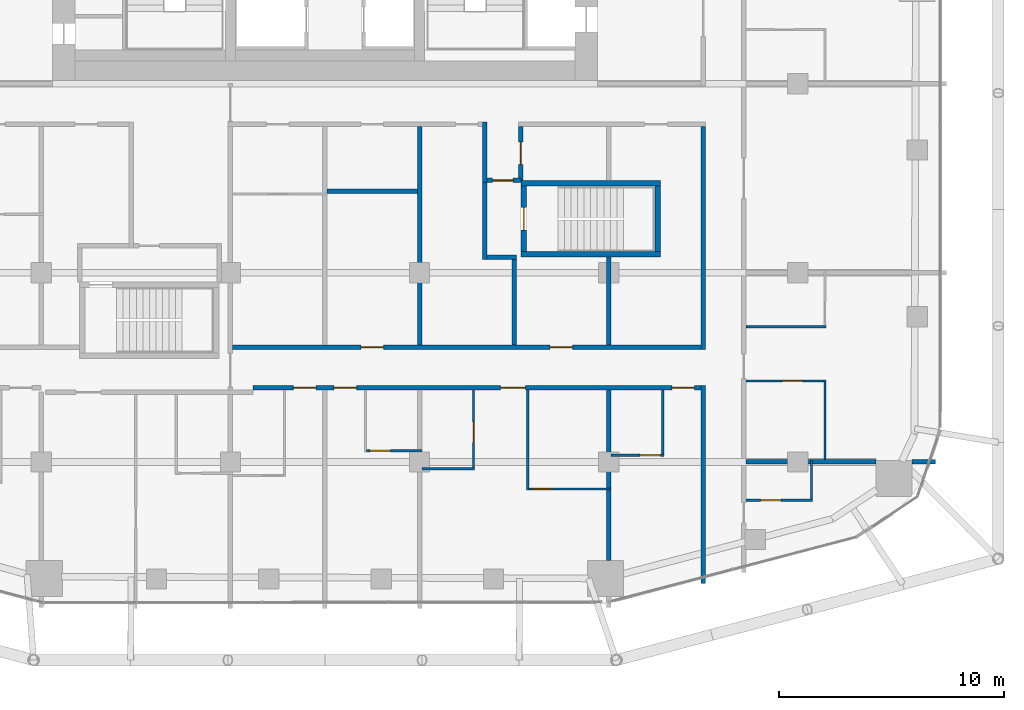
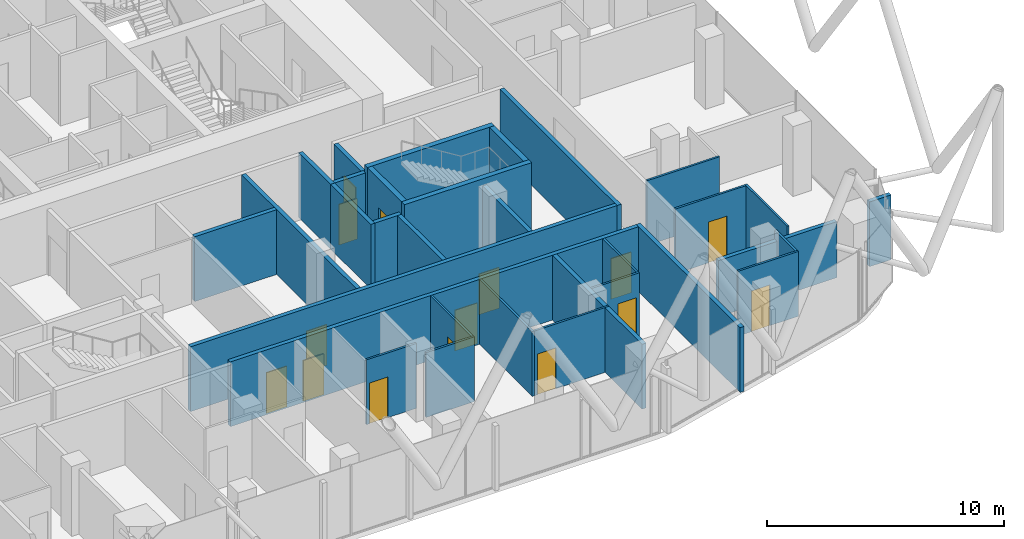
# One storey, part 29 of 36: 32 walls, 15 doors, 15 openings.
"""IFC4 building model written with IfcOpenShell, lengths in metres."""

import ifcopenshell
import ifcopenshell.guid

model = None  # the IFC model being written
_history = None  # IfcOwnerHistory: only IFC2X3 demands one
_inside = {}  # id of a spatial element -> (the spatial element, [elements in it])
_under = {}  # id of a project, library or spatial element -> (it, [spatial elements below it])
_declared = {}  # id of a project -> (the project, [libraries it declares])
_typed = {}  # id of a type object -> (the type object, [elements of that type])
_made_of = {}  # id of a material, layer set ... -> (it, [elements and type objects made of it])


def new_model(schema):
    """Start an empty IFC model of exactly this schema.

    Asked for "IFC4X3", IfcOpenShell would pick the latest addendum, in which some entities
    have other attributes; the version numbers below select the first issue.
    IFC2X3 requires an IfcOwnerHistory on every rooted entity: one is made here for all.
    """
    global model, _history
    if schema == "IFC4X3":
        model = ifcopenshell.file(schema_version=(4, 3, 0, 0))
    else:
        model = ifcopenshell.file(schema=schema)
    _inside.clear()
    _under.clear()
    _declared.clear()
    _typed.clear()
    _made_of.clear()
    _history = None
    if model.schema == "IFC2X3":
        org = make("IfcOrganization", Name="unknown")
        user = make(
            "IfcPersonAndOrganization",
            ThePerson=make("IfcPerson", FamilyName="unknown"),
            TheOrganization=org,
        )
        app = make(
            "IfcApplication",
            ApplicationDeveloper=org,
            Version="unknown",
            ApplicationFullName="unknown",
            ApplicationIdentifier="unknown",
        )
        _history = make(
            "IfcOwnerHistory",
            OwningUser=user,
            OwningApplication=app,
            ChangeAction="ADDED",
            CreationDate=0,
        )
    return model


def make(cls, **values):
    """One entity of the class cls with the attributes given. An attribute that is None is left unset."""
    return model.create_entity(
        cls, **{name: value for name, value in values.items() if value is not None}
    )


def rooted(cls, **values):
    """An entity with a GlobalId (a new one), such as an element, a storey or a relation."""
    return make(cls, GlobalId=ifcopenshell.guid.new(), OwnerHistory=_history, **values)


def si_unit(unit_type, name, prefix=None):
    """IfcSIUnit, for example si_unit("LENGTHUNIT", "METRE", prefix="MILLI")."""
    return make("IfcSIUnit", UnitType=unit_type, Prefix=prefix, Name=name)


def assignment(units):
    """IfcUnitAssignment: the units of a project."""
    return None if units is None else make("IfcUnitAssignment", Units=units)


def point(xyz):
    """IfcCartesianPoint."""
    return None if xyz is None else make("IfcCartesianPoint", Coordinates=xyz)


def direction(xyz):
    """IfcDirection."""
    return None if xyz is None else make("IfcDirection", DirectionRatios=xyz)


def frame(location, z_axis=None, x_axis=None):
    """IfcAxis2Placement3D, a coordinate frame: its origin and axes. An axis left out is left unset."""
    return make(
        "IfcAxis2Placement3D",
        Location=point(location),
        Axis=direction(z_axis),
        RefDirection=direction(x_axis),
    )


def frame_2d(location, x_axis=None):
    """IfcAxis2Placement2D, a coordinate frame in the plane: its origin and x axis."""
    return make(
        "IfcAxis2Placement2D", Location=point(location), RefDirection=direction(x_axis)
    )


def origin():
    """The frame at (0, 0, 0) with its axes left unset."""
    return frame((0.0, 0.0, 0.0))


def place(relative_to, where):
    """IfcLocalPlacement: puts the frame where relative to a parent placement (None: the world)."""
    return make(
        "IfcLocalPlacement", PlacementRelTo=relative_to, RelativePlacement=where
    )


def context(
    kind, dimensions, precision=None, world=None, true_north=None, identifier=None
):
    """IfcGeometricRepresentationContext, for example the 3D "Model" context."""
    return make(
        "IfcGeometricRepresentationContext",
        ContextIdentifier=identifier,
        ContextType=kind,
        CoordinateSpaceDimension=dimensions,
        Precision=precision,
        WorldCoordinateSystem=world,
        TrueNorth=true_north,
    )


def subcontext(parent, identifier, kind, view, scale=None):
    """IfcGeometricRepresentationSubContext, for example "Body" below "Model"."""
    return make(
        "IfcGeometricRepresentationSubContext",
        ContextIdentifier=identifier,
        ContextType=kind,
        ParentContext=parent,
        TargetScale=scale,
        TargetView=view,
    )


def project(units=None, contexts=None):
    """IfcProject with its units and contexts."""
    return rooted(
        "IfcProject",
        Name="project",
        RepresentationContexts=contexts,
        UnitsInContext=assignment(units),
    )


def spatial(cls, under=None, at=None, **own):
    """A site, building, storey or space (cls), placed at a placement, below another one or the project."""
    s = rooted(cls, ObjectPlacement=at, **own)
    if under is not None:
        _under.setdefault(under.id(), (under, []))[1].append(s)
    return s


def profile(cls, at=None, kind="AREA", **sizes):
    """A parametric profile (cls). Its sizes go by their IFC names, for example OverallWidth=200.0."""
    return make(cls, ProfileType=kind, Position=at, **sizes)


def rectangle(**sizes):
    """IfcRectangleProfileDef."""
    return profile("IfcRectangleProfileDef", **sizes)


def extrude(swept, where, along, depth):
    """IfcExtrudedAreaSolid: the profile swept, set in the frame where, extruded along a direction by depth."""
    return make(
        "IfcExtrudedAreaSolid",
        SweptArea=swept,
        Position=where,
        ExtrudedDirection=direction(along),
        Depth=depth,
    )


def shape(context_of_items, identifier, shape_type, items):
    """IfcShapeRepresentation: the items that make up one representation, for example the "Body"."""
    return make(
        "IfcShapeRepresentation",
        ContextOfItems=context_of_items,
        RepresentationIdentifier=identifier,
        RepresentationType=shape_type,
        Items=items,
    )


def material(Name=None, Category=None):
    """IfcMaterial."""
    return make("IfcMaterial", Name=Name, Category=Category)


def layer(
    of_material, thickness, ventilated=None, Name=None, Category=None, Priority=None
):
    """IfcMaterialLayer: one layer of a wall or slab, of a material (None: an air gap)."""
    return make(
        "IfcMaterialLayer",
        Material=of_material,
        LayerThickness=thickness,
        IsVentilated=ventilated,
        Name=Name,
        Category=Category,
        Priority=Priority,
    )


def layer_set(layers, Name=None):
    """IfcMaterialLayerSet."""
    return make("IfcMaterialLayerSet", MaterialLayers=layers, LayerSetName=Name)


def made_of(thing, what):
    """Note that an element or type object is made of a material, layer set ...; save() writes the relation."""
    if what is not None:
        _made_of.setdefault(what.id(), (what, []))[1].append(thing)
    return thing


def type_object(cls, material=None, **own):
    """A type object (cls), such as IfcWallType, which elements share."""
    return made_of(rooted(cls, **own), material)


def element(
    cls,
    number,
    at=None,
    inside=None,
    cuts=None,
    type_object=None,
    material=None,
    context=None,
    identifier="Body",
    shape_type=None,
    held_by="IfcProductDefinitionShape",
    body=None,
    shapes=None,
    **own,
):
    """One element of the class cls, such as IfcWall. Its Tag is "e" and its number.

    at: its placement. inside: the storey or other place that contains it. cuts: it is an
    opening in that element (IfcRelVoidsElement). A single representation is given by context,
    identifier, shape_type and body (its items); several are given by shapes. held_by: the class
    of the entity that holds the representations. save() writes the other relations.
    """
    e = rooted(cls, Tag="e%d" % number, ObjectPlacement=at, **own)
    if body is not None:
        shapes = [shape(context, identifier, shape_type, body)]
    if shapes is not None:
        e.Representation = make(held_by, Representations=shapes)
    if inside is not None:
        _inside.setdefault(inside.id(), (inside, []))[1].append(e)
    if cuts is not None:
        rooted(
            "IfcRelVoidsElement", RelatingBuildingElement=cuts, RelatedOpeningElement=e
        )
    if type_object is not None:
        _typed.setdefault(type_object.id(), (type_object, []))[1].append(e)
    return made_of(e, material)


def fill(opening, filler):
    """IfcRelFillsElement: the door or window that sits in an opening."""
    return rooted(
        "IfcRelFillsElement",
        RelatingOpeningElement=opening,
        RelatedBuildingElement=filler,
    )


def aggregate(whole, parts):
    """IfcRelAggregates: a whole, such as a stair, and the parts it consists of."""
    return rooted("IfcRelAggregates", RelatingObject=whole, RelatedObjects=parts)


def save(model, path):
    """Write the relations noted so far, then the file.

    IfcRelAggregates (storeys below a building ...), IfcRelContainedInSpatialStructure (elements
    in a storey), IfcRelDefinesByType, IfcRelAssociatesMaterial and IfcRelDeclares: one each for
    every whole, place, type object, material and project.
    """
    for whole, parts in _under.values():
        aggregate(whole, parts)
    for where, things in _inside.values():
        rooted(
            "IfcRelContainedInSpatialStructure",
            RelatedElements=things,
            RelatingStructure=where,
        )
    for kind, things in _typed.values():
        rooted("IfcRelDefinesByType", RelatedObjects=things, RelatingType=kind)
    for what, things in _made_of.values():
        rooted("IfcRelAssociatesMaterial", RelatedObjects=things, RelatingMaterial=what)
    for by, libraries in _declared.values():
        rooted("IfcRelDeclares", RelatingContext=by, RelatedDefinitions=libraries)
    model.write(path)


model = new_model("IFC4")

# Units and contexts
model_context = context("Model", 3, precision=1e-05, world=origin(), true_north=direction((0.0, 1.0)))
body_context = subcontext(model_context, "Body", "Model", "MODEL_VIEW")
ifc_project = project(units=[si_unit("LENGTHUNIT", "METRE"), si_unit("AREAUNIT", "SQUARE_METRE"), si_unit("VOLUMEUNIT", "CUBIC_METRE"), si_unit("PLANEANGLEUNIT", "RADIAN"), si_unit("MASSUNIT", "GRAM", prefix="KILO")], contexts=[model_context])

# Site, building, storey
site_placement = place(None, origin())
site = spatial("IfcSite", under=ifc_project, at=site_placement, CompositionType="ELEMENT")
building_placement = place(site_placement, origin())
building = spatial("IfcBuilding", under=site, at=building_placement, Name="Marenta Gate Hotel Tower", CompositionType="ELEMENT")
storey_placement = place(building_placement, frame((0.0, 0.0, 158.89990234375)))
storey = spatial("IfcBuildingStorey", under=building, at=storey_placement, Name="L37", CompositionType="ELEMENT", Elevation=158.89990234375)

# Walls
ifc_material_1 = material(Name="Concrete C40", Category="concrete")
ifc_layer_1 = layer(ifc_material_1, 0.25)
ifc_layer_set_1 = layer_set([ifc_layer_1], Name="Concrete C40")
wall_type_1 = type_object("IfcWallType", Name="Remote stair enclosure wall 250 REI 180", PredefinedType="SHEAR", material=ifc_layer_set_1)
for number, where, z_axis, x_axis, name in (
    (1, (8.699951171875, -7.574951171875, 0.10009765625), (0.0, 0.0, 1.0), (1.0, 0.0, 0.0), "L37-RS-Z2-2-W1"),
    (2, (8.699951171875, -4.425048828125, 0.10009765625), (0.0, 0.0, 1.0), (1.0, 0.0, 0.0), "L37-RS-Z2-2-W2"),
):
    element("IfcWall", number, at=place(storey_placement, frame(where, z_axis=z_axis, x_axis=x_axis)), inside=storey, type_object=wall_type_1, Name=name, PredefinedType="SHEAR", context=body_context, shape_type="SweptSolid", body=[
        extrude(rectangle(XDim=6.199951171875, YDim=0.25, at=frame_2d((3.10009765625, 0.0))), origin(), (0.0, 0.0, 1.0), 3.60009765625),
    ])

# Wall, opening, door
wall_1_placement = place(storey_placement, frame((8.824951171875, -7.449951171875, 0.10009765625), z_axis=(0.0, 0.0, 1.0), x_axis=(0.0, 1.0, 0.0)))
wall_1 = element("IfcWall", 3, at=wall_1_placement, inside=storey, type_object=wall_type_1, Name="L37-RS-Z2-2-W3", PredefinedType="SHEAR", context=body_context, shape_type="SweptSolid", body=[
    extrude(rectangle(XDim=2.89990234375, YDim=0.25, at=frame_2d((1.449951171875, 0.0))), origin(), (0.0, 0.0, 1.0), 3.60009765625),
])
opening_1_placement = place(wall_1_placement, frame((0.949951171875, 0.0, 0.0)))
opening_1 = element("IfcOpeningElement", 4, at=opening_1_placement, cuts=wall_1, Name="Opening VD", PredefinedType="OPENING", context=body_context, shape_type="SweptSolid", body=[
    extrude(rectangle(XDim=1.0, YDim=2.10009765625, at=frame_2d((0.5, 1.050048828125))), frame((0.0, 0.125, 0.0), z_axis=(0.0, -1.0, 0.0), x_axis=(1.0, 0.0, 0.0)), (0.0, 0.0, 1.0), 0.25),
])
ifc_material_2 = material(Name="Steel", Category="steel")
door_type_1 = type_object("IfcDoorType", Name="Stair vestibule door 1000x2100 FD60", OperationType="SINGLE_SWING_LEFT", PredefinedType="DOOR", material=ifc_material_2)
door_1_placement = place(opening_1_placement, origin())
door_1 = element("IfcDoor", 5, at=door_1_placement, inside=storey, type_object=door_type_1, Name="VD", OperationType="SINGLE_SWING_LEFT", OverallHeight=2.10009765625, OverallWidth=1.0, PredefinedType="DOOR", context=body_context, shape_type="SweptSolid", body=[
    extrude(rectangle(XDim=1.0, YDim=2.10009765625, at=frame_2d((0.5, 1.050048828125))), frame((0.0, 0.02490234375, 0.0), z_axis=(0.0, -1.0, 0.0), x_axis=(1.0, 0.0, 0.0)), (0.0, 0.0, 1.0), 0.050048828125),
])
fill(opening_1, door_1)

# Wall
wall_2_placement = place(storey_placement, frame((14.77490234375, -7.449951171875, 0.10009765625), z_axis=(0.0, 0.0, 1.0), x_axis=(0.0, 1.0, 0.0)))
element("IfcWall", 6, at=wall_2_placement, inside=storey, type_object=wall_type_1, Name="L37-RS-Z2-2-W4", PredefinedType="SHEAR", context=body_context, shape_type="SweptSolid", body=[
    extrude(rectangle(XDim=2.89990234375, YDim=0.25, at=frame_2d((1.449951171875, 0.0))), origin(), (0.0, 0.0, 1.0), 3.60009765625),
])

# Wall, openings, doors
ifc_material_3 = material(Name="Concrete blockwork", Category="masonry")
ifc_layer_2 = layer(ifc_material_3, 0.199951171875)
ifc_layer_set_2 = layer_set([ifc_layer_2], Name="Concrete blockwork")
wall_type_2 = type_object("IfcWallType", Name="Room corridor wall 200 EI 120", PredefinedType="PARTITIONING", material=ifc_layer_set_2)
wall_3_placement = place(storey_placement, frame((-4.10009765625, -11.699951171875, 0.0), z_axis=(0.0, 0.0, 1.0), x_axis=(1.0, 0.0, 0.0)))
wall_3 = element("IfcWall", 7, at=wall_3_placement, inside=storey, type_object=wall_type_2, Name="L37-PTN-W034", PredefinedType="PARTITIONING", context=body_context, shape_type="SweptSolid", body=[
    extrude(rectangle(XDim=20.800048828125, YDim=0.199951171875, at=frame_2d((10.39990234375, 0.0))), origin(), (0.0, 0.0, 1.0), 3.340087890625),
])
opening_2_placement = place(wall_3_placement, frame((14.10009765625, 0.0, 0.0)))
opening_2 = element("IfcOpeningElement", 8, at=opening_2_placement, cuts=wall_3, Name="Opening G14-60", PredefinedType="OPENING", context=body_context, shape_type="SweptSolid", body=[
    extrude(rectangle(XDim=1.0, YDim=2.10009765625, at=frame_2d((0.5, 1.050048828125))), frame((0.0, 0.10009765625, 0.0), z_axis=(0.0, -1.0, 0.0), x_axis=(1.0, 0.0, 0.0)), (0.0, 0.0, 1.0), 0.199951171875),
])
opening_3_placement = place(wall_3_placement, frame((5.699951171875, 0.0, 0.0)))
opening_3 = element("IfcOpeningElement", 9, at=opening_3_placement, cuts=wall_3, Name="Opening G14-64", PredefinedType="OPENING", context=body_context, shape_type="SweptSolid", body=[
    extrude(rectangle(XDim=1.0, YDim=2.10009765625, at=frame_2d((0.5, 1.050048828125))), frame((0.0, 0.10009765625, 0.0), z_axis=(0.0, -1.0, 0.0), x_axis=(1.0, 0.0, 0.0)), (0.0, 0.0, 1.0), 0.199951171875),
])
ifc_material_4 = material(Name="Timber door leaf", Category="wood")
door_type_2 = type_object("IfcDoorType", Name="Room amenity door 1000x2100 EI 60", OperationType="NOTDEFINED", PredefinedType="DOOR", material=ifc_material_4)
door_2_placement = place(opening_2_placement, origin())
door_2 = element("IfcDoor", 10, at=door_2_placement, inside=storey, type_object=door_type_2, Name="L37-PD-D060", OperationType="SINGLE_SWING_RIGHT", OverallHeight=2.10009765625, OverallWidth=1.0, PredefinedType="DOOR", context=body_context, shape_type="SweptSolid", body=[
    extrude(rectangle(XDim=1.0, YDim=2.10009765625, at=frame_2d((0.5, 1.050048828125))), frame((0.0, 0.02490234375, 0.0), z_axis=(0.0, -1.0, 0.0), x_axis=(1.0, 0.0, 0.0)), (0.0, 0.0, 1.0), 0.050048828125),
])
fill(opening_2, door_2)
door_3_placement = place(opening_3_placement, origin())
door_3 = element("IfcDoor", 11, at=door_3_placement, inside=storey, type_object=door_type_2, Name="L37-PD-D064", OperationType="SINGLE_SWING_RIGHT", OverallHeight=2.10009765625, OverallWidth=1.0, PredefinedType="DOOR", context=body_context, shape_type="SweptSolid", body=[
    extrude(rectangle(XDim=1.0, YDim=2.10009765625, at=frame_2d((0.5, 1.050048828125))), frame((0.0, 0.02490234375, 0.0), z_axis=(0.0, -1.0, 0.0), x_axis=(1.0, 0.0, 0.0)), (0.0, 0.0, 1.0), 0.050048828125),
])
fill(opening_3, door_3)

# Walls
ifc_material_5 = material(Name="Gypsum board on steel stud", Category="steel")
ifc_layer_3 = layer(ifc_material_5, 0.199951171875)
ifc_layer_set_3 = layer_set([ifc_layer_3], Name="Gypsum board on steel stud")
wall_type_3 = type_object("IfcWallType", Name="Room corridor wall 200 EI 60", PredefinedType="PARTITIONING", material=ifc_layer_set_3)
wall_4_placement = place(storey_placement, frame((16.800048828125, -22.18603515625, 0.0), z_axis=(0.0, 0.0, 1.0), x_axis=(0.0, 1.0, 0.0)))
element("IfcWall", 12, at=wall_4_placement, inside=storey, type_object=wall_type_3, Name="L37-PTN-W016", PredefinedType="PARTITIONING", context=body_context, shape_type="SweptSolid", body=[
    extrude(rectangle(XDim=8.7861328125, YDim=0.199951171875, at=frame_2d((4.39306640625, 0.0))), origin(), (0.0, 0.0, 1.0), 3.340087890625),
])
wall_5_placement = place(storey_placement, frame((16.800048828125, -11.800048828125, 0.0), z_axis=(0.0, 0.0, 1.0), x_axis=(0.0, 1.0, 0.0)))
element("IfcWall", 13, at=wall_5_placement, inside=storey, type_object=wall_type_3, Name="L37-PTN-W017", PredefinedType="PARTITIONING", context=body_context, shape_type="SweptSolid", body=[
    extrude(rectangle(XDim=9.900146484375, YDim=0.199951171875, at=frame_2d((4.9501953125, 0.0))), origin(), (0.0, 0.0, 1.0), 3.340087890625),
])

# Wall, openings, doors
wall_6_placement = place(storey_placement, frame((-3.199951171875, -13.5, 0.0), z_axis=(0.0, 0.0, 1.0), x_axis=(1.0, 0.0, 0.0)))
wall_6 = element("IfcWall", 14, at=wall_6_placement, inside=storey, type_object=wall_type_3, Name="L37-PTN-W027", PredefinedType="PARTITIONING", context=body_context, shape_type="SweptSolid", body=[
    extrude(rectangle(XDim=19.89990234375, YDim=0.199951171875, at=frame_2d((9.949951171875, 0.0))), origin(), (0.0, 0.0, 1.0), 3.340087890625),
])
opening_4_placement = place(wall_6_placement, frame((1.800048828125, 0.0, 0.0)))
opening_4 = element("IfcOpeningElement", 15, at=opening_4_placement, cuts=wall_6, Name="Opening G14-35", PredefinedType="OPENING", context=body_context, shape_type="SweptSolid", body=[
    extrude(rectangle(XDim=1.0, YDim=2.10009765625, at=frame_2d((0.5, 1.050048828125))), frame((0.0, 0.10009765625, 0.0), z_axis=(0.0, -1.0, 0.0), x_axis=(1.0, 0.0, 0.0)), (0.0, 0.0, 1.0), 0.199951171875),
])
opening_5_placement = place(wall_6_placement, frame((3.60009765625, 0.0, 0.0)))
opening_5 = element("IfcOpeningElement", 16, at=opening_5_placement, cuts=wall_6, Name="Opening G14-37", PredefinedType="OPENING", context=body_context, shape_type="SweptSolid", body=[
    extrude(rectangle(XDim=1.0, YDim=2.10009765625, at=frame_2d((0.5, 1.050048828125))), frame((0.0, 0.10009765625, 0.0), z_axis=(0.0, -1.0, 0.0), x_axis=(1.0, 0.0, 0.0)), (0.0, 0.0, 1.0), 0.199951171875),
])
opening_6_placement = place(wall_6_placement, frame((11.0, 0.0, 0.0)))
opening_6 = element("IfcOpeningElement", 17, at=opening_6_placement, cuts=wall_6, Name="Opening G14-39", PredefinedType="OPENING", context=body_context, shape_type="SweptSolid", body=[
    extrude(rectangle(XDim=1.10009765625, YDim=2.10009765625, at=frame_2d((0.550048828125, 1.050048828125))), frame((0.0, 0.10009765625, 0.0), z_axis=(0.0, -1.0, 0.0), x_axis=(1.0, 0.0, 0.0)), (0.0, 0.0, 1.0), 0.199951171875),
])
opening_7_placement = place(wall_6_placement, frame((18.60009765625, 0.0, 0.0)))
opening_7 = element("IfcOpeningElement", 18, at=opening_7_placement, cuts=wall_6, Name="Opening G14-42", PredefinedType="OPENING", context=body_context, shape_type="SweptSolid", body=[
    extrude(rectangle(XDim=1.0, YDim=2.10009765625, at=frame_2d((0.5, 1.050048828125))), frame((0.0, 0.10009765625, 0.0), z_axis=(0.0, -1.0, 0.0), x_axis=(1.0, 0.0, 0.0)), (0.0, 0.0, 1.0), 0.199951171875),
])
ifc_material_6 = material(Name="Timber door leaf", Category="wood")
door_type_3 = type_object("IfcDoorType", Name="Guest room door 1000x2100 EI 30", OperationType="NOTDEFINED", PredefinedType="DOOR", material=ifc_material_6)
door_4_placement = place(opening_4_placement, origin())
door_4 = element("IfcDoor", 19, at=door_4_placement, inside=storey, type_object=door_type_3, Name="L37-PD-D035", OperationType="SINGLE_SWING_LEFT", OverallHeight=2.10009765625, OverallWidth=1.0, PredefinedType="DOOR", context=body_context, shape_type="SweptSolid", body=[
    extrude(rectangle(XDim=1.0, YDim=2.10009765625, at=frame_2d((0.5, 1.050048828125))), frame((0.0, 0.02490234375, 0.0), z_axis=(0.0, -1.0, 0.0), x_axis=(1.0, 0.0, 0.0)), (0.0, 0.0, 1.0), 0.050048828125),
])
fill(opening_4, door_4)
door_5_placement = place(opening_5_placement, origin())
door_5 = element("IfcDoor", 20, at=door_5_placement, inside=storey, type_object=door_type_3, Name="L37-PD-D037", OperationType="SINGLE_SWING_LEFT", OverallHeight=2.10009765625, OverallWidth=1.0, PredefinedType="DOOR", context=body_context, shape_type="SweptSolid", body=[
    extrude(rectangle(XDim=1.0, YDim=2.10009765625, at=frame_2d((0.5, 1.050048828125))), frame((0.0, 0.02490234375, 0.0), z_axis=(0.0, -1.0, 0.0), x_axis=(1.0, 0.0, 0.0)), (0.0, 0.0, 1.0), 0.050048828125),
])
fill(opening_5, door_5)
door_6_placement = place(opening_7_placement, origin())
door_6 = element("IfcDoor", 21, at=door_6_placement, inside=storey, type_object=door_type_3, Name="L37-PD-D042", OperationType="SINGLE_SWING_LEFT", OverallHeight=2.10009765625, OverallWidth=1.0, PredefinedType="DOOR", context=body_context, shape_type="SweptSolid", body=[
    extrude(rectangle(XDim=1.0, YDim=2.10009765625, at=frame_2d((0.5, 1.050048828125))), frame((0.0, 0.02490234375, 0.0), z_axis=(0.0, -1.0, 0.0), x_axis=(1.0, 0.0, 0.0)), (0.0, 0.0, 1.0), 0.050048828125),
])
fill(opening_7, door_6)
ifc_material_7 = material(Name="Timber door leaf", Category="wood")
door_type_4 = type_object("IfcDoorType", Name="Guest room door 1100x2100 EI 30", OperationType="NOTDEFINED", PredefinedType="DOOR", material=ifc_material_7)
door_7_placement = place(opening_6_placement, origin())
door_7 = element("IfcDoor", 22, at=door_7_placement, inside=storey, type_object=door_type_4, Name="L37-PD-D039", OperationType="SINGLE_SWING_LEFT", OverallHeight=2.10009765625, OverallWidth=1.10009765625, PredefinedType="DOOR", context=body_context, shape_type="SweptSolid", body=[
    extrude(rectangle(XDim=1.10009765625, YDim=2.10009765625, at=frame_2d((0.550048828125, 1.050048828125))), frame((0.0, 0.02490234375, 0.0), z_axis=(0.0, -1.0, 0.0), x_axis=(1.0, 0.0, 0.0)), (0.0, 0.0, 1.0), 0.050048828125),
])
fill(opening_6, door_7)

# Wall, opening, door
wall_7_placement = place(storey_placement, frame((8.699951171875, -4.300048828125, 0.0), z_axis=(0.0, 0.0, 1.0), x_axis=(0.0, 1.0, 0.0)))
wall_7 = element("IfcWall", 23, at=wall_7_placement, inside=storey, type_object=wall_type_3, Name="L37-PTN-W039", PredefinedType="PARTITIONING", context=body_context, shape_type="SweptSolid", body=[
    extrude(rectangle(XDim=2.400146484375, YDim=0.199951171875, at=frame_2d((1.2001953125, 0.0))), origin(), (0.0, 0.0, 1.0), 3.340087890625),
])
opening_8_placement = place(wall_7_placement, frame((0.699951171875, 0.0, 0.0)))
opening_8 = element("IfcOpeningElement", 24, at=opening_8_placement, cuts=wall_7, Name="Opening G14-61", PredefinedType="OPENING", context=body_context, shape_type="SweptSolid", body=[
    extrude(rectangle(XDim=1.0, YDim=2.10009765625, at=frame_2d((0.5, 1.050048828125))), frame((0.0, 0.10009765625, 0.0), z_axis=(0.0, -1.0, 0.0), x_axis=(1.0, 0.0, 0.0)), (0.0, 0.0, 1.0), 0.199951171875),
])
ifc_material_8 = material(Name="Timber door leaf", Category="wood")
door_type_5 = type_object("IfcDoorType", Name="Room amenity door 1000x2100 EI 30", OperationType="NOTDEFINED", PredefinedType="DOOR", material=ifc_material_8)
door_8_placement = place(opening_8_placement, origin())
door_8 = element("IfcDoor", 25, at=door_8_placement, inside=storey, type_object=door_type_5, Name="L37-PD-D061", OperationType="SINGLE_SWING_LEFT", OverallHeight=2.10009765625, OverallWidth=1.0, PredefinedType="DOOR", context=body_context, shape_type="SweptSolid", body=[
    extrude(rectangle(XDim=1.0, YDim=2.10009765625, at=frame_2d((0.5, 1.050048828125))), frame((0.0, 0.02490234375, 0.0), z_axis=(0.0, -1.0, 0.0), x_axis=(1.0, 0.0, 0.0)), (0.0, 0.0, 1.0), 0.050048828125),
])
fill(opening_8, door_8)

# Wall
wall_8_placement = place(storey_placement, frame((7.10009765625, -4.39990234375, 0.0), z_axis=(0.0, 0.0, 1.0), x_axis=(0.0, 1.0, 0.0)))
element("IfcWall", 26, at=wall_8_placement, inside=storey, type_object=wall_type_3, Name="L37-PTN-W047", PredefinedType="PARTITIONING", context=body_context, shape_type="SweptSolid", body=[
    extrude(rectangle(XDim=2.699951171875, YDim=0.199951171875, at=frame_2d((1.35009765625, 0.0))), origin(), (0.0, 0.0, 1.0), 3.340087890625),
])

# Wall, opening, door
ifc_material_9 = material(Name="Concrete blockwork", Category="masonry")
ifc_layer_4 = layer(ifc_material_9, 0.199951171875)
ifc_layer_set_4 = layer_set([ifc_layer_4], Name="Concrete blockwork")
wall_type_4 = type_object("IfcWallType", Name="Room corridor wall 200 REI 180", PredefinedType="PARTITIONING", material=ifc_layer_set_4)
wall_9_placement = place(storey_placement, frame((7.199951171875, -4.300048828125, 0.0), z_axis=(0.0, 0.0, 1.0), x_axis=(1.0, 0.0, 0.0)))
wall_9 = element("IfcWall", 27, at=wall_9_placement, inside=storey, type_object=wall_type_4, Name="L37-PTN-W053", PredefinedType="PARTITIONING", context=body_context, shape_type="SweptSolid", body=[
    extrude(rectangle(XDim=1.5, YDim=0.199951171875, at=frame_2d((0.75, 0.0))), origin(), (0.0, 0.0, 1.0), 3.340087890625),
])
opening_9_placement = place(wall_9_placement, frame((0.25, 0.0, 0.0)))
opening_9 = element("IfcOpeningElement", 28, at=opening_9_placement, cuts=wall_9, Name="Opening G14-57", PredefinedType="OPENING", context=body_context, shape_type="SweptSolid", body=[
    extrude(rectangle(XDim=0.89990234375, YDim=2.10009765625, at=frame_2d((0.449951171875, 1.050048828125))), frame((0.0, 0.10009765625, 0.0), z_axis=(0.0, -1.0, 0.0), x_axis=(1.0, 0.0, 0.0)), (0.0, 0.0, 1.0), 0.199951171875),
])
ifc_material_10 = material(Name="Hollow steel door set", Category="steel")
door_type_6 = type_object("IfcDoorType", Name="Stair vestibule door 900x2100 EI 60", OperationType="NOTDEFINED", PredefinedType="DOOR", material=ifc_material_10)
door_9_placement = place(opening_9_placement, origin())
door_9 = element("IfcDoor", 29, at=door_9_placement, inside=storey, type_object=door_type_6, Name="L37-PD-D057", OperationType="SINGLE_SWING_LEFT", OverallHeight=2.10009765625, OverallWidth=0.89990234375, PredefinedType="DOOR", context=body_context, shape_type="SweptSolid", body=[
    extrude(rectangle(XDim=0.89990234375, YDim=2.10009765625, at=frame_2d((0.449951171875, 1.050048828125))), frame((0.0, 0.02490234375, 0.0), z_axis=(0.0, -1.0, 0.0), x_axis=(1.0, 0.0, 0.0)), (0.0, 0.0, 1.0), 0.050048828125),
])
fill(opening_9, door_9)

# Walls
ifc_material_11 = material(Name="Gypsum board on steel stud", Category="steel")
ifc_layer_5 = layer(ifc_material_11, 0.10009765625)
ifc_layer_set_5 = layer_set([ifc_layer_5], Name="Gypsum board on steel stud")
wall_type_5 = type_object("IfcWallType", Name="Room partition 100", PredefinedType="PARTITIONING", material=ifc_layer_set_5)
wall_10_placement = place(storey_placement, frame((22.199951171875, -16.699951171875, 0.0), z_axis=(0.0, 0.0, 1.0), x_axis=(0.0, 1.0, 0.0)))
element("IfcWall", 30, at=wall_10_placement, inside=storey, type_object=wall_type_5, Name="L37-PTN-W002", PredefinedType="PARTITIONING", context=body_context, shape_type="SweptSolid", body=[
    extrude(rectangle(XDim=3.550048828125, YDim=0.10009765625, at=frame_2d((1.77490234375, 0.0))), origin(), (0.0, 0.0, 1.0), 3.340087890625),
])
wall_11_placement = place(storey_placement, frame((21.60009765625, -18.449951171875, 0.0), z_axis=(0.0, 0.0, 1.0), x_axis=(0.0, 1.0, 0.0)))
element("IfcWall", 31, at=wall_11_placement, inside=storey, type_object=wall_type_5, Name="L37-PTN-W007", PredefinedType="PARTITIONING", context=body_context, shape_type="SweptSolid", body=[
    extrude(rectangle(XDim=1.75, YDim=0.10009765625, at=frame_2d((0.875, 0.0))), origin(), (0.0, 0.0, 1.0), 3.340087890625),
])

# Wall, opening, door
wall_12_placement = place(storey_placement, frame((18.699951171875, -18.5, 0.0), z_axis=(0.0, 0.0, 1.0), x_axis=(1.0, 0.0, 0.0)))
wall_12 = element("IfcWall", 32, at=wall_12_placement, inside=storey, type_object=wall_type_5, Name="L37-PTN-W010", PredefinedType="PARTITIONING", context=body_context, shape_type="SweptSolid", body=[
    extrude(rectangle(XDim=2.949951171875, YDim=0.10009765625, at=frame_2d((1.47509765625, 0.0))), origin(), (0.0, 0.0, 1.0), 3.340087890625),
])
opening_10_placement = place(wall_12_placement, frame((0.64990234375, 0.0, 0.0)))
opening_10 = element("IfcOpeningElement", 33, at=opening_10_placement, cuts=wall_12, Name="Opening G14-09", PredefinedType="OPENING", context=body_context, shape_type="SweptSolid", body=[
    extrude(rectangle(XDim=0.89990234375, YDim=2.10009765625, at=frame_2d((0.449951171875, 1.050048828125))), frame((0.0, 0.050048828125, 0.0), z_axis=(0.0, -1.0, 0.0), x_axis=(1.0, 0.0, 0.0)), (0.0, 0.0, 1.0), 0.10009765625),
])
ifc_material_12 = material(Name="Timber door leaf", Category="wood")
door_type_7 = type_object("IfcDoorType", Name="Guest bathroom door 900x2100", OperationType="NOTDEFINED", PredefinedType="DOOR", material=ifc_material_12)
door_10_placement = place(opening_10_placement, origin())
door_10 = element("IfcDoor", 34, at=door_10_placement, inside=storey, type_object=door_type_7, Name="L37-PD-D009", OperationType="SINGLE_SWING_LEFT", OverallHeight=2.10009765625, OverallWidth=0.89990234375, PredefinedType="DOOR", context=body_context, shape_type="SweptSolid", body=[
    extrude(rectangle(XDim=0.89990234375, YDim=2.10009765625, at=frame_2d((0.449951171875, 1.050048828125))), frame((0.0, 0.02490234375, 0.0), z_axis=(0.0, -1.0, 0.0), x_axis=(1.0, 0.0, 0.0)), (0.0, 0.0, 1.0), 0.050048828125),
])
fill(opening_10, door_10)

wall_13_placement = place(storey_placement, frame((9.050048828125, -18.0, 0.0), z_axis=(0.0, 0.0, 1.0), x_axis=(1.0, 0.0, 0.0)))
wall_13 = element("IfcWall", 35, at=wall_13_placement, inside=storey, type_object=wall_type_5, Name="L37-PTN-W011", PredefinedType="PARTITIONING", context=body_context, shape_type="SweptSolid", body=[
    extrude(rectangle(XDim=3.64990234375, YDim=0.10009765625, at=frame_2d((1.824951171875, 0.0))), origin(), (0.0, 0.0, 1.0), 3.340087890625),
])
opening_11_placement = place(wall_13_placement, frame((0.14990234375, 0.0, 0.0)))
opening_11 = element("IfcOpeningElement", 36, at=opening_11_placement, cuts=wall_13, Name="Opening G14-40", PredefinedType="OPENING", context=body_context, shape_type="SweptSolid", body=[
    extrude(rectangle(XDim=0.89990234375, YDim=2.10009765625, at=frame_2d((0.449951171875, 1.050048828125))), frame((0.0, 0.050048828125, 0.0), z_axis=(0.0, -1.0, 0.0), x_axis=(1.0, 0.0, 0.0)), (0.0, 0.0, 1.0), 0.10009765625),
])
door_11_placement = place(opening_11_placement, origin())
door_11 = element("IfcDoor", 37, at=door_11_placement, inside=storey, type_object=door_type_7, Name="L37-PD-D040", OperationType="SINGLE_SWING_LEFT", OverallHeight=2.10009765625, OverallWidth=0.89990234375, PredefinedType="DOOR", context=body_context, shape_type="SweptSolid", body=[
    extrude(rectangle(XDim=0.89990234375, YDim=2.10009765625, at=frame_2d((0.449951171875, 1.050048828125))), frame((0.0, 0.02490234375, 0.0), z_axis=(0.0, -1.0, 0.0), x_axis=(1.0, 0.0, 0.0)), (0.0, 0.0, 1.0), 0.050048828125),
])
fill(opening_11, door_11)

# Wall
wall_14_placement = place(storey_placement, frame((4.300048828125, -17.10009765625, 0.0), z_axis=(0.0, 0.0, 1.0), x_axis=(1.0, 0.0, 0.0)))
element("IfcWall", 38, at=wall_14_placement, inside=storey, type_object=wall_type_5, Name="L37-PTN-W015", PredefinedType="PARTITIONING", context=body_context, shape_type="SweptSolid", body=[
    extrude(rectangle(XDim=2.349853515625, YDim=0.10009765625, at=frame_2d((1.1748046875, 0.0))), origin(), (0.0, 0.0, 1.0), 3.340087890625),
])

# Wall, opening, door
wall_15_placement = place(storey_placement, frame((12.699951171875, -16.5, 0.0), z_axis=(0.0, 0.0, 1.0), x_axis=(1.0, 0.0, 0.0)))
wall_15 = element("IfcWall", 39, at=wall_15_placement, inside=storey, type_object=wall_type_5, Name="L37-PTN-W021", PredefinedType="PARTITIONING", context=body_context, shape_type="SweptSolid", body=[
    extrude(rectangle(XDim=2.35009765625, YDim=0.10009765625, at=frame_2d((1.175048828125, 0.0))), origin(), (0.0, 0.0, 1.0), 3.340087890625),
])
opening_12_placement = place(wall_15_placement, frame((1.300048828125, 0.0, 0.0)))
opening_12 = element("IfcOpeningElement", 40, at=opening_12_placement, cuts=wall_15, Name="Opening G14-43", PredefinedType="OPENING", context=body_context, shape_type="SweptSolid", body=[
    extrude(rectangle(XDim=0.89990234375, YDim=2.10009765625, at=frame_2d((0.449951171875, 1.050048828125))), frame((0.0, 0.050048828125, 0.0), z_axis=(0.0, -1.0, 0.0), x_axis=(1.0, 0.0, 0.0)), (0.0, 0.0, 1.0), 0.10009765625),
])
door_12_placement = place(opening_12_placement, origin())
door_12 = element("IfcDoor", 41, at=door_12_placement, inside=storey, type_object=door_type_7, Name="L37-PD-D043", OperationType="SINGLE_SWING_RIGHT", OverallHeight=2.10009765625, OverallWidth=0.89990234375, PredefinedType="DOOR", context=body_context, shape_type="SweptSolid", body=[
    extrude(rectangle(XDim=0.89990234375, YDim=2.10009765625, at=frame_2d((0.449951171875, 1.050048828125))), frame((0.0, 0.02490234375, 0.0), z_axis=(0.0, -1.0, 0.0), x_axis=(1.0, 0.0, 0.0)), (0.0, 0.0, 1.0), 0.050048828125),
])
fill(opening_12, door_12)

wall_16_placement = place(storey_placement, frame((1.85009765625, -16.300048828125, 0.0), z_axis=(0.0, 0.0, 1.0), x_axis=(1.0, 0.0, 0.0)))
wall_16 = element("IfcWall", 42, at=wall_16_placement, inside=storey, type_object=wall_type_5, Name="L37-PTN-W022", PredefinedType="PARTITIONING", context=body_context, shape_type="SweptSolid", body=[
    extrude(rectangle(XDim=2.449951171875, YDim=0.10009765625, at=frame_2d((1.22509765625, 0.0))), origin(), (0.0, 0.0, 1.0), 3.340087890625),
])
opening_13_placement = place(wall_16_placement, frame((0.14990234375, 0.0, 0.0)))
opening_13 = element("IfcOpeningElement", 43, at=opening_13_placement, cuts=wall_16, Name="Opening G14-38", PredefinedType="OPENING", context=body_context, shape_type="SweptSolid", body=[
    extrude(rectangle(XDim=0.89990234375, YDim=2.10009765625, at=frame_2d((0.449951171875, 1.050048828125))), frame((0.0, 0.050048828125, 0.0), z_axis=(0.0, -1.0, 0.0), x_axis=(1.0, 0.0, 0.0)), (0.0, 0.0, 1.0), 0.10009765625),
])
door_13_placement = place(opening_13_placement, origin())
door_13 = element("IfcDoor", 44, at=door_13_placement, inside=storey, type_object=door_type_7, Name="L37-PD-D038", OperationType="SINGLE_SWING_LEFT", OverallHeight=2.10009765625, OverallWidth=0.89990234375, PredefinedType="DOOR", context=body_context, shape_type="SweptSolid", body=[
    extrude(rectangle(XDim=0.89990234375, YDim=2.10009765625, at=frame_2d((0.449951171875, 1.050048828125))), frame((0.0, 0.02490234375, 0.0), z_axis=(0.0, -1.0, 0.0), x_axis=(1.0, 0.0, 0.0)), (0.0, 0.0, 1.0), 0.050048828125),
])
fill(opening_13, door_13)

# Wall
wall_17_placement = place(storey_placement, frame((15.0, -16.449951171875, 0.0), z_axis=(0.0, 0.0, 1.0), x_axis=(0.0, 1.0, 0.0)))
element("IfcWall", 45, at=wall_17_placement, inside=storey, type_object=wall_type_5, Name="L37-PTN-W023", PredefinedType="PARTITIONING", context=body_context, shape_type="SweptSolid", body=[
    extrude(rectangle(XDim=2.849853515625, YDim=0.10009765625, at=frame_2d((1.4248046875, 0.0))), origin(), (0.0, 0.0, 1.0), 3.340087890625),
])

# Wall, opening, door
wall_18_placement = place(storey_placement, frame((18.699951171875, -13.199951171875, 0.0), z_axis=(0.0, 0.0, 1.0), x_axis=(1.0, 0.0, 0.0)))
wall_18 = element("IfcWall", 46, at=wall_18_placement, inside=storey, type_object=wall_type_5, Name="L37-PTN-W028", PredefinedType="PARTITIONING", context=body_context, shape_type="SweptSolid", body=[
    extrude(rectangle(XDim=3.449951171875, YDim=0.10009765625, at=frame_2d((1.72509765625, 0.0))), origin(), (0.0, 0.0, 1.0), 3.340087890625),
])
opening_14_placement = place(wall_18_placement, frame((1.610107421875, 0.0, 0.0)))
opening_14 = element("IfcOpeningElement", 47, at=opening_14_placement, cuts=wall_18, Name="Opening G14-11", PredefinedType="OPENING", context=body_context, shape_type="SweptSolid", body=[
    extrude(rectangle(XDim=0.89990234375, YDim=2.10009765625, at=frame_2d((0.449951171875, 1.050048828125))), frame((0.0, 0.050048828125, 0.0), z_axis=(0.0, -1.0, 0.0), x_axis=(1.0, 0.0, 0.0)), (0.0, 0.0, 1.0), 0.10009765625),
])
door_14_placement = place(opening_14_placement, origin())
door_14 = element("IfcDoor", 48, at=door_14_placement, inside=storey, type_object=door_type_7, Name="L37-PD-D011", OperationType="SINGLE_SWING_LEFT", OverallHeight=2.10009765625, OverallWidth=0.89990234375, PredefinedType="DOOR", context=body_context, shape_type="SweptSolid", body=[
    extrude(rectangle(XDim=0.89990234375, YDim=2.10009765625, at=frame_2d((0.449951171875, 1.050048828125))), frame((0.0, 0.02490234375, 0.0), z_axis=(0.0, -1.0, 0.0), x_axis=(1.0, 0.0, 0.0)), (0.0, 0.0, 1.0), 0.050048828125),
])
fill(opening_14, door_14)

# Walls
wall_19_placement = place(storey_placement, frame((18.699951171875, -10.800048828125, 0.0), z_axis=(0.0, 0.0, 1.0), x_axis=(1.0, 0.0, 0.0)))
element("IfcWall", 49, at=wall_19_placement, inside=storey, type_object=wall_type_5, Name="L37-PTN-W035", PredefinedType="PARTITIONING", context=body_context, shape_type="SweptSolid", body=[
    extrude(rectangle(XDim=3.550048828125, YDim=0.10009765625, at=frame_2d((1.77490234375, 0.0))), origin(), (0.0, 0.0, 1.0), 3.340087890625),
])
wall_20_placement = place(storey_placement, frame((9.0, -18.050048828125, 0.0), z_axis=(0.0, 0.0, 1.0), x_axis=(0.0, 1.0, 0.0)))
element("IfcWall", 50, at=wall_20_placement, inside=storey, type_object=wall_type_5, Name="L37-PTN-W038", PredefinedType="PARTITIONING", context=body_context, shape_type="SweptSolid", body=[
    extrude(rectangle(XDim=4.449951171875, YDim=0.10009765625, at=frame_2d((2.22509765625, 0.0))), origin(), (0.0, 0.0, 1.0), 3.340087890625),
])

# Wall, opening, door
wall_21_placement = place(storey_placement, frame((6.60009765625, -17.050048828125, 0.0), z_axis=(0.0, 0.0, 1.0), x_axis=(0.0, 1.0, 0.0)))
wall_21 = element("IfcWall", 51, at=wall_21_placement, inside=storey, type_object=wall_type_5, Name="L37-PTN-W048", PredefinedType="PARTITIONING", context=body_context, shape_type="SweptSolid", body=[
    extrude(rectangle(XDim=3.449951171875, YDim=0.10009765625, at=frame_2d((1.72509765625, 0.0))), origin(), (0.0, 0.0, 1.0), 3.340087890625),
])
opening_15_placement = place(wall_21_placement, frame((1.1201171875, 0.0, 0.0)))
opening_15 = element("IfcOpeningElement", 52, at=opening_15_placement, cuts=wall_21, Name="Opening G14-41", PredefinedType="OPENING", context=body_context, shape_type="SweptSolid", body=[
    extrude(rectangle(XDim=0.89990234375, YDim=2.10009765625, at=frame_2d((0.449951171875, 1.050048828125))), frame((0.0, 0.050048828125, 0.0), z_axis=(0.0, -1.0, 0.0), x_axis=(1.0, 0.0, 0.0)), (0.0, 0.0, 1.0), 0.10009765625),
])
ifc_material_13 = material(Name="Timber door leaf", Category="wood")
door_type_8 = type_object("IfcDoorType", Name="Room inner door 900x2100", OperationType="NOTDEFINED", PredefinedType="DOOR", material=ifc_material_13)
door_15_placement = place(opening_15_placement, origin())
door_15 = element("IfcDoor", 53, at=door_15_placement, inside=storey, type_object=door_type_8, Name="L37-PD-D041", OperationType="SINGLE_SWING_LEFT", OverallHeight=2.10009765625, OverallWidth=0.89990234375, PredefinedType="DOOR", context=body_context, shape_type="SweptSolid", body=[
    extrude(rectangle(XDim=0.89990234375, YDim=2.10009765625, at=frame_2d((0.449951171875, 1.050048828125))), frame((0.0, 0.02490234375, 0.0), z_axis=(0.0, -1.0, 0.0), x_axis=(1.0, 0.0, 0.0)), (0.0, 0.0, 1.0), 0.050048828125),
])
fill(opening_15, door_15)

# Walls
ifc_material_14 = material(Name="Gypsum board on steel stud", Category="steel")
ifc_layer_6 = layer(ifc_material_14, 0.199951171875)
ifc_layer_set_6 = layer_set([ifc_layer_6], Name="Gypsum board on steel stud")
wall_type_6 = type_object("IfcWallType", Name="Room party wall 200 EI 60", PredefinedType="PARTITIONING", material=ifc_layer_set_6)
wall_22_placement = place(storey_placement, frame((18.699951171875, -16.800048828125, 0.0), z_axis=(0.0, 0.0, 1.0), x_axis=(1.0, 0.0, 0.0)))
element("IfcWall", 54, at=wall_22_placement, inside=storey, type_object=wall_type_6, Name="L37-PTN-W020", PredefinedType="PARTITIONING", context=body_context, shape_type="SweptSolid", body=[
    extrude(rectangle(XDim=5.762939453125, YDim=0.199951171875, at=frame_2d((2.88134765625, 0.0))), origin(), (0.0, 0.0, 1.0), 2.89013671875),
])
wall_23_placement = place(storey_placement, frame((26.06298828125, -16.800048828125, 0.0), z_axis=(0.0, 0.0, 1.0), x_axis=(1.0, 0.0, 0.0)))
element("IfcWall", 55, at=wall_23_placement, inside=storey, type_object=wall_type_6, Name="L37-PTN-W119", PredefinedType="PARTITIONING", context=body_context, shape_type="SweptSolid", body=[
    extrude(rectangle(XDim=1.049072265625, YDim=0.199951171875, at=frame_2d((0.5244140625, 0.0))), origin(), (0.0, 0.0, 1.0), 3.340087890625),
])
wall_24_placement = place(storey_placement, frame((12.60009765625, -21.175048828125, 0.0), z_axis=(0.0, 0.0, 1.0), x_axis=(0.0, 1.0, 0.0)))
element("IfcWall", 56, at=wall_24_placement, inside=storey, type_object=wall_type_6, Name="L37-PTN-W120", PredefinedType="PARTITIONING", context=body_context, shape_type="SweptSolid", body=[
    extrude(rectangle(XDim=7.574951171875, YDim=0.199951171875, at=frame_2d((3.78759765625, 0.0))), origin(), (0.0, 0.0, 1.0), 3.340087890625),
])
wall_25_placement = place(storey_placement, frame((12.60009765625, -11.60009765625, 0.0), z_axis=(0.0, 0.0, 1.0), x_axis=(0.0, 1.0, 0.0)))
element("IfcWall", 57, at=wall_25_placement, inside=storey, type_object=wall_type_6, Name="L37-PTN-W030", PredefinedType="PARTITIONING", context=body_context, shape_type="SweptSolid", body=[
    extrude(rectangle(XDim=3.900146484375, YDim=0.199951171875, at=frame_2d((1.9501953125, 0.0))), origin(), (0.0, 0.0, 1.0), 3.340087890625),
])
wall_26_placement = place(storey_placement, frame((8.39990234375, -11.60009765625, 0.0), z_axis=(0.0, 0.0, 1.0), x_axis=(0.0, 1.0, 0.0)))
element("IfcWall", 58, at=wall_26_placement, inside=storey, type_object=wall_type_6, Name="L37-PTN-W040", PredefinedType="PARTITIONING", context=body_context, shape_type="SweptSolid", body=[
    extrude(rectangle(XDim=3.800048828125, YDim=0.199951171875, at=frame_2d((1.89990234375, 0.0))), origin(), (0.0, 0.0, 1.0), 3.340087890625),
])
wall_27_placement = place(storey_placement, frame((0.10009765625, -4.77001953125, 0.0), z_axis=(0.0, 0.0, 1.0), x_axis=(1.0, 0.0, 0.0)))
element("IfcWall", 59, at=wall_27_placement, inside=storey, type_object=wall_type_6, Name="L37-PTN-W052", PredefinedType="PARTITIONING", context=body_context, shape_type="SweptSolid", body=[
    extrude(rectangle(XDim=4.0, YDim=0.199951171875, at=frame_2d((2.0, 0.0))), origin(), (0.0, 0.0, 1.0), 3.340087890625),
])
wall_28_placement = place(storey_placement, frame((4.199951171875, -11.60009765625, 0.0), z_axis=(0.0, 0.0, 1.0), x_axis=(0.0, 1.0, 0.0)))
element("IfcWall", 60, at=wall_28_placement, inside=storey, type_object=wall_type_6, Name="L37-PTN-W055", PredefinedType="PARTITIONING", context=body_context, shape_type="SweptSolid", body=[
    extrude(rectangle(XDim=9.7001953125, YDim=0.199951171875, at=frame_2d((4.85009765625, 0.0))), origin(), (0.0, 0.0, 1.0), 3.340087890625),
])
ifc_material_15 = material(Name="Concrete blockwork", Category="masonry")
ifc_layer_7 = layer(ifc_material_15, 0.199951171875)
ifc_layer_set_7 = layer_set([ifc_layer_7], Name="Concrete blockwork")
wall_type_7 = type_object("IfcWallType", Name="Room party wall 200 REI 180", PredefinedType="PARTITIONING", material=ifc_layer_set_7)
wall_29_placement = place(storey_placement, frame((7.199951171875, -7.699951171875, 0.0), z_axis=(0.0, 0.0, 1.0), x_axis=(1.0, 0.0, 0.0)))
element("IfcWall", 61, at=wall_29_placement, inside=storey, type_object=wall_type_7, Name="L37-PTN-W043", PredefinedType="PARTITIONING", context=body_context, shape_type="SweptSolid", body=[
    extrude(rectangle(XDim=1.300048828125, YDim=0.199951171875, at=frame_2d((0.64990234375, 0.0))), origin(), (0.0, 0.0, 1.0), 3.340087890625),
])
wall_30_placement = place(storey_placement, frame((7.10009765625, -7.800048828125, 0.0), z_axis=(0.0, 0.0, 1.0), x_axis=(0.0, 1.0, 0.0)))
element("IfcWall", 62, at=wall_30_placement, inside=storey, type_object=wall_type_7, Name="L37-PTN-W046", PredefinedType="PARTITIONING", context=body_context, shape_type="SweptSolid", body=[
    extrude(rectangle(XDim=3.400146484375, YDim=0.199951171875, at=frame_2d((1.7001953125, 0.0))), origin(), (0.0, 0.0, 1.0), 3.340087890625),
])

save(model, "model.ifc")
